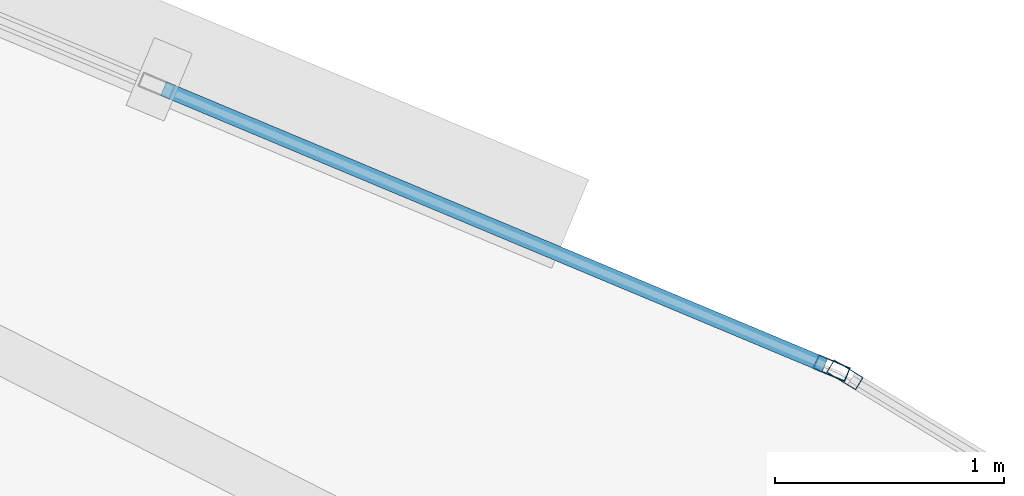
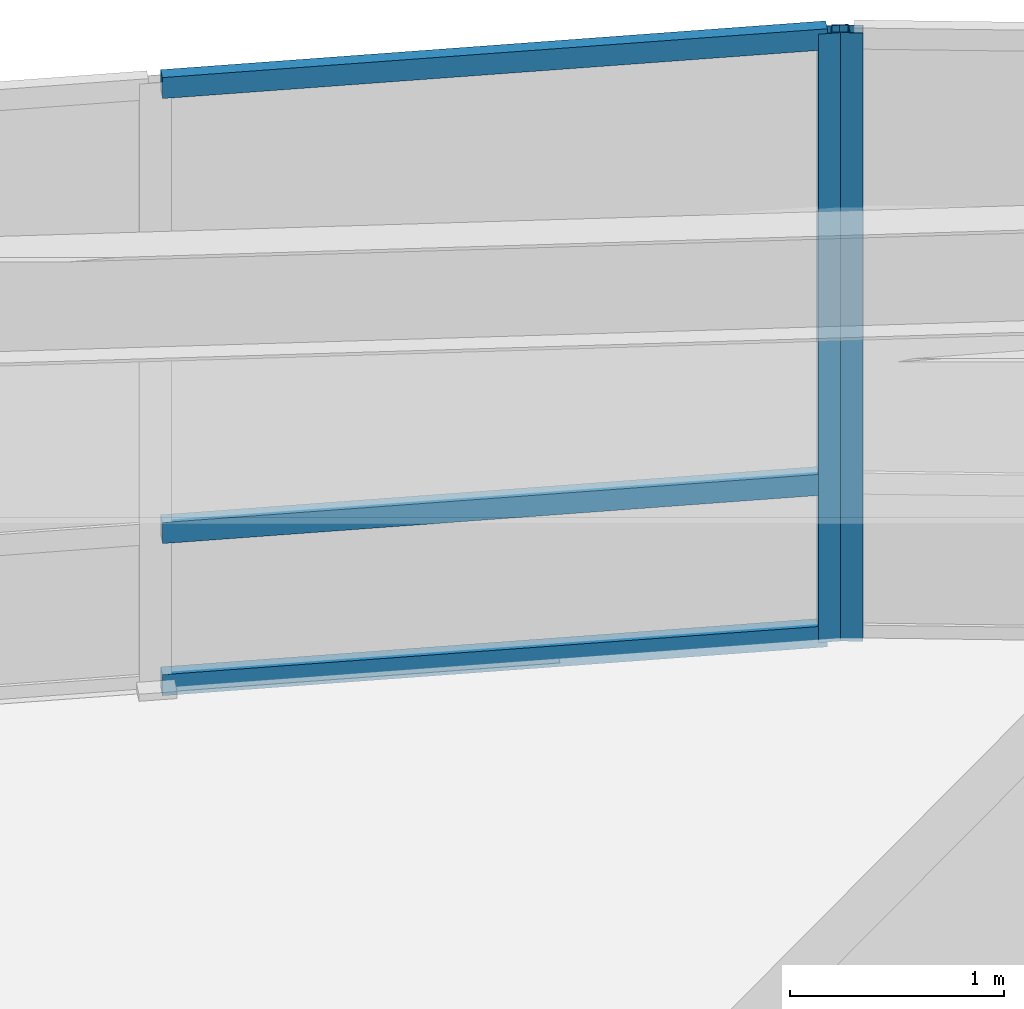
# One storey, part 13 of 18: 5 members, 2 elements without a shape of their own.
"""IFC4 building model written with IfcOpenShell, lengths in metres."""

from ifc_helpers import new_model, si_unit, direction, frame, origin, origin_2d, place, context, subcontext, project, spatial, hollow_rectangle, extrude, material, layer, layer_set, material_profile, profile_set, type_object, element, aggregate, save


model = new_model("IFC4")

# Units and contexts
model_context = context("Model", 3, precision=1e-05, world=origin(), true_north=direction((0.0, 1.0)))
body_context = subcontext(model_context, "Body", "Model", "MODEL_VIEW")
ifc_project = project(units=[si_unit("LENGTHUNIT", "METRE"), si_unit("AREAUNIT", "SQUARE_METRE"), si_unit("VOLUMEUNIT", "CUBIC_METRE"), si_unit("PLANEANGLEUNIT", "RADIAN"), si_unit("MASSUNIT", "GRAM", prefix="KILO")], contexts=[model_context])

# Site, building, storey
site_placement = place(None, origin())
site = spatial("IfcSite", under=ifc_project, at=site_placement, CompositionType="ELEMENT")
building_placement = place(site_placement, origin())
building = spatial("IfcBuilding", under=site, at=building_placement, Name="Menara Vayukalpa", CompositionType="ELEMENT")
storey_placement = place(building_placement, frame((0.0, 0.0, 89.10009765625)))
storey = spatial("IfcBuildingStorey", under=building, at=storey_placement, Name="L21", CompositionType="ELEMENT", Elevation=89.10009765625)

# Curtain wall, member
ifc_material_1 = material(Name="Anodised Terracotta Aluminium Alloy 6063-T6", Category="masonry")
ifc_layer = layer(ifc_material_1, 0.14990234375)
ifc_layer_set = layer_set([ifc_layer], Name="Anodised Terracotta Aluminium Alloy 6063-T6")
curtain_wall_type = type_object("IfcCurtainWallType", Name="CW-CW3", PredefinedType="USERDEFINED", material=ifc_layer_set)
curtain_wall_1_placement = place(storey_placement, origin())
curtain_wall_1 = element("IfcCurtainWall", 1, at=curtain_wall_1_placement, inside=storey, type_object=curtain_wall_type, Name="L21 Mid Rise Terracotta Ribbon Curtain Wall CW3 04", ObjectType="UNITISED", PredefinedType="USERDEFINED")
ifc_material_2 = material(Name="Anodised Terracotta Aluminium Alloy 6063-T6", Category="masonry")
ifc_material_profile_1 = material_profile(ifc_material_2, hollow_rectangle(XDim=0.06494140625, YDim=0.14990234375, WallThickness=0.00341796875, at=origin_2d()), Name="ALU 65x150x3.5")
ifc_profile_set_1 = profile_set([ifc_material_profile_1], Name="Anodised Terracotta Aluminium Alloy 6063-T6")
member_type_1 = type_object("IfcMemberType", Name="CWM-CW3", PredefinedType="MULLION", material=ifc_profile_set_1)
member_1_placement = place(storey_placement, frame((29.8935546875, 31.938232421875, 0.0), z_axis=(0.0, 0.0, 1.0), x_axis=(-0.519182959112, -0.854663123674, 0.0)))
member_1 = element("IfcMember", 2, at=member_1_placement, type_object=member_type_1, Name="CW3 mullion 3", PredefinedType="MULLION", context=body_context, shape_type="SweptSolid", body=[
    extrude(hollow_rectangle(XDim=0.06494140625, YDim=0.14990234375, WallThickness=0.00341796875, at=origin_2d()), origin(), (0.0, 0.0, 1.0), 3.469970703125),
])
aggregate(curtain_wall_1, [member_1])

# Curtain wall, members
curtain_wall_2_placement = place(storey_placement, origin())
curtain_wall_2 = element("IfcCurtainWall", 3, at=curtain_wall_2_placement, inside=storey, type_object=curtain_wall_type, Name="L21 Mid Rise Terracotta Ribbon Curtain Wall CW3 05", ObjectType="UNITISED", PredefinedType="USERDEFINED")
member_2_placement = place(storey_placement, frame((29.8359375, 31.9677734375, 0.0), z_axis=(0.0, 0.0, 1.0), x_axis=(-0.38589358437, -0.922543300632, 0.0)))
member_2 = element("IfcMember", 4, at=member_2_placement, type_object=member_type_1, Name="CW3 mullion 1", PredefinedType="MULLION", context=body_context, shape_type="SweptSolid", body=[
    extrude(hollow_rectangle(XDim=0.06494140625, YDim=0.14990234375, WallThickness=0.00341796875, at=origin_2d()), origin(), (0.0, 0.0, 1.0), 3.469970703125),
])
ifc_material_3 = material(Name="Anodised Terracotta Aluminium Alloy 6063-T6", Category="masonry")
ifc_material_profile_2 = material_profile(ifc_material_3, hollow_rectangle(XDim=0.06494140625, YDim=0.1201171875, WallThickness=0.00341796875, at=origin_2d()), Name="ALU 65x120x3.5")
ifc_profile_set_2 = profile_set([ifc_material_profile_2], Name="Anodised Terracotta Aluminium Alloy 6063-T6")
member_type_2 = type_object("IfcMemberType", Name="CWT-CW3", PredefinedType="USERDEFINED", material=ifc_profile_set_2)
member_3_placement = place(storey_placement, frame((29.805908203125, 31.980224609375, 0.032470703125), z_axis=(-0.922517812792, 0.385954511673, 0.0), x_axis=(-0.385954511673, -0.922517812792, 0.0)))
member_3 = element("IfcMember", 5, at=member_3_placement, type_object=member_type_2, Name="CW3 transom 1.1", ObjectType="TRANSOM", PredefinedType="USERDEFINED", context=body_context, shape_type="SweptSolid", body=[
    extrude(hollow_rectangle(XDim=0.06494140625, YDim=0.1201171875, WallThickness=0.00341796875, at=origin_2d()), origin(), (0.0, 0.0, 1.0), 3.1318359375),
])
member_4_placement = place(storey_placement, frame((29.805908203125, 31.980224609375, 0.89990234375), z_axis=(-0.922517812792, 0.385954511673, 0.0), x_axis=(-0.385954511673, -0.922517812792, 0.0)))
member_4 = element("IfcMember", 6, at=member_4_placement, type_object=member_type_2, Name="CW3 transom 1.2", ObjectType="TRANSOM", PredefinedType="USERDEFINED", context=body_context, shape_type="SweptSolid", body=[
    extrude(hollow_rectangle(XDim=0.06494140625, YDim=0.1201171875, WallThickness=0.00341796875, at=origin_2d()), origin(), (0.0, 0.0, 1.0), 3.1318359375),
])
member_5_placement = place(storey_placement, frame((29.805908203125, 31.980224609375, 3.4375), z_axis=(-0.922517812792, 0.385954511673, 0.0), x_axis=(-0.385954511673, -0.922517812792, 0.0)))
member_5 = element("IfcMember", 7, at=member_5_placement, type_object=member_type_2, Name="CW3 transom 1.3", ObjectType="TRANSOM", PredefinedType="USERDEFINED", context=body_context, shape_type="SweptSolid", body=[
    extrude(hollow_rectangle(XDim=0.06494140625, YDim=0.1201171875, WallThickness=0.00341796875, at=origin_2d()), origin(), (0.0, 0.0, 1.0), 3.1318359375),
])
aggregate(curtain_wall_2, [member_2, member_3, member_4, member_5])

save(model, "model.ifc")
